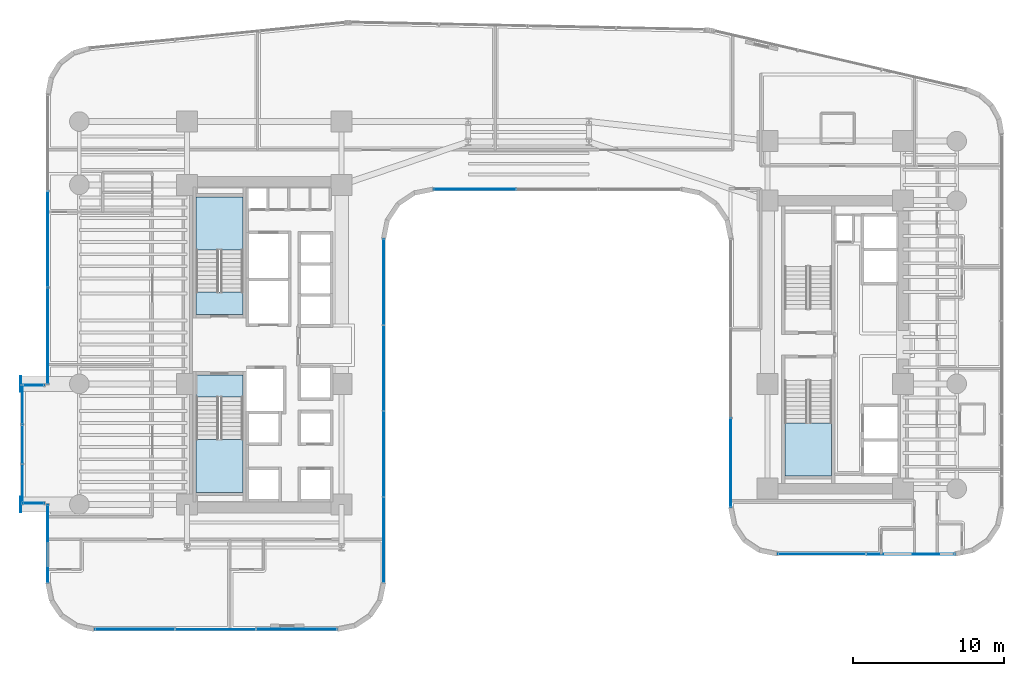
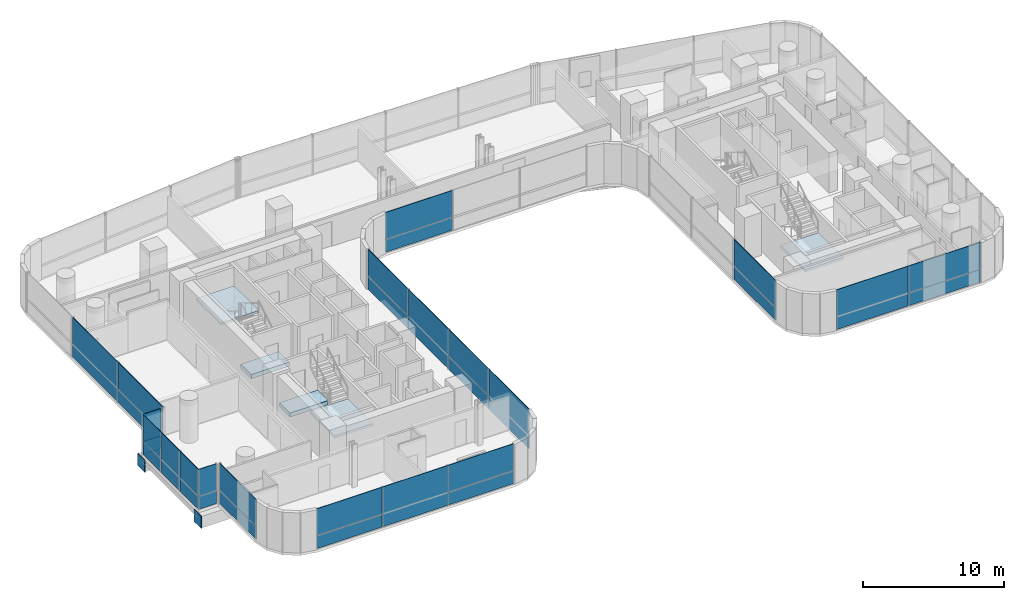
# One storey, part 28 of 41: 34 plates, 5 slabs, 13 elements without a shape of their own.
"""IFC4 building model written with IfcOpenShell, lengths in metres."""

import ifcopenshell
import ifcopenshell.guid

model = None  # the IFC model being written
_history = None  # IfcOwnerHistory: only IFC2X3 demands one
_inside = {}  # id of a spatial element -> (the spatial element, [elements in it])
_under = {}  # id of a project, library or spatial element -> (it, [spatial elements below it])
_declared = {}  # id of a project -> (the project, [libraries it declares])
_typed = {}  # id of a type object -> (the type object, [elements of that type])
_made_of = {}  # id of a material, layer set ... -> (it, [elements and type objects made of it])


def new_model(schema):
    """Start an empty IFC model of exactly this schema.

    Asked for "IFC4X3", IfcOpenShell would pick the latest addendum, in which some entities
    have other attributes; the version numbers below select the first issue.
    IFC2X3 requires an IfcOwnerHistory on every rooted entity: one is made here for all.
    """
    global model, _history
    if schema == "IFC4X3":
        model = ifcopenshell.file(schema_version=(4, 3, 0, 0))
    else:
        model = ifcopenshell.file(schema=schema)
    _inside.clear()
    _under.clear()
    _declared.clear()
    _typed.clear()
    _made_of.clear()
    _history = None
    if model.schema == "IFC2X3":
        org = make("IfcOrganization", Name="unknown")
        user = make(
            "IfcPersonAndOrganization",
            ThePerson=make("IfcPerson", FamilyName="unknown"),
            TheOrganization=org,
        )
        app = make(
            "IfcApplication",
            ApplicationDeveloper=org,
            Version="unknown",
            ApplicationFullName="unknown",
            ApplicationIdentifier="unknown",
        )
        _history = make(
            "IfcOwnerHistory",
            OwningUser=user,
            OwningApplication=app,
            ChangeAction="ADDED",
            CreationDate=0,
        )
    return model


def make(cls, **values):
    """One entity of the class cls with the attributes given. An attribute that is None is left unset."""
    return model.create_entity(
        cls, **{name: value for name, value in values.items() if value is not None}
    )


def rooted(cls, **values):
    """An entity with a GlobalId (a new one), such as an element, a storey or a relation."""
    return make(cls, GlobalId=ifcopenshell.guid.new(), OwnerHistory=_history, **values)


def si_unit(unit_type, name, prefix=None):
    """IfcSIUnit, for example si_unit("LENGTHUNIT", "METRE", prefix="MILLI")."""
    return make("IfcSIUnit", UnitType=unit_type, Prefix=prefix, Name=name)


def assignment(units):
    """IfcUnitAssignment: the units of a project."""
    return None if units is None else make("IfcUnitAssignment", Units=units)


def point(xyz):
    """IfcCartesianPoint."""
    return None if xyz is None else make("IfcCartesianPoint", Coordinates=xyz)


def direction(xyz):
    """IfcDirection."""
    return None if xyz is None else make("IfcDirection", DirectionRatios=xyz)


def frame(location, z_axis=None, x_axis=None):
    """IfcAxis2Placement3D, a coordinate frame: its origin and axes. An axis left out is left unset."""
    return make(
        "IfcAxis2Placement3D",
        Location=point(location),
        Axis=direction(z_axis),
        RefDirection=direction(x_axis),
    )


def frame_2d(location, x_axis=None):
    """IfcAxis2Placement2D, a coordinate frame in the plane: its origin and x axis."""
    return make(
        "IfcAxis2Placement2D", Location=point(location), RefDirection=direction(x_axis)
    )


def origin():
    """The frame at (0, 0, 0) with its axes left unset."""
    return frame((0.0, 0.0, 0.0))


def origin_2d():
    """The frame at (0, 0) in the plane with its x axis left unset."""
    return frame_2d((0.0, 0.0))


def place(relative_to, where):
    """IfcLocalPlacement: puts the frame where relative to a parent placement (None: the world)."""
    return make(
        "IfcLocalPlacement", PlacementRelTo=relative_to, RelativePlacement=where
    )


def context(
    kind, dimensions, precision=None, world=None, true_north=None, identifier=None
):
    """IfcGeometricRepresentationContext, for example the 3D "Model" context."""
    return make(
        "IfcGeometricRepresentationContext",
        ContextIdentifier=identifier,
        ContextType=kind,
        CoordinateSpaceDimension=dimensions,
        Precision=precision,
        WorldCoordinateSystem=world,
        TrueNorth=true_north,
    )


def subcontext(parent, identifier, kind, view, scale=None):
    """IfcGeometricRepresentationSubContext, for example "Body" below "Model"."""
    return make(
        "IfcGeometricRepresentationSubContext",
        ContextIdentifier=identifier,
        ContextType=kind,
        ParentContext=parent,
        TargetScale=scale,
        TargetView=view,
    )


def project(units=None, contexts=None):
    """IfcProject with its units and contexts."""
    return rooted(
        "IfcProject",
        Name="project",
        RepresentationContexts=contexts,
        UnitsInContext=assignment(units),
    )


def spatial(cls, under=None, at=None, **own):
    """A site, building, storey or space (cls), placed at a placement, below another one or the project."""
    s = rooted(cls, ObjectPlacement=at, **own)
    if under is not None:
        _under.setdefault(under.id(), (under, []))[1].append(s)
    return s


def polyline(points):
    """IfcPolyline through the points."""
    return make("IfcPolyline", Points=[point(p) for p in points])


def profile(cls, at=None, kind="AREA", **sizes):
    """A parametric profile (cls). Its sizes go by their IFC names, for example OverallWidth=200.0."""
    return make(cls, ProfileType=kind, Position=at, **sizes)


def rectangle(**sizes):
    """IfcRectangleProfileDef."""
    return profile("IfcRectangleProfileDef", **sizes)


def outline(outer, holes=None, kind="AREA"):
    """IfcArbitraryClosedProfileDef: a profile drawn as a closed curve; with holes, ...WithVoids."""
    if holes is None:
        return make("IfcArbitraryClosedProfileDef", ProfileType=kind, OuterCurve=outer)
    return make(
        "IfcArbitraryProfileDefWithVoids",
        ProfileType=kind,
        OuterCurve=outer,
        InnerCurves=holes,
    )


def extrude(swept, where, along, depth):
    """IfcExtrudedAreaSolid: the profile swept, set in the frame where, extruded along a direction by depth."""
    return make(
        "IfcExtrudedAreaSolid",
        SweptArea=swept,
        Position=where,
        ExtrudedDirection=direction(along),
        Depth=depth,
    )


def shape(context_of_items, identifier, shape_type, items):
    """IfcShapeRepresentation: the items that make up one representation, for example the "Body"."""
    return make(
        "IfcShapeRepresentation",
        ContextOfItems=context_of_items,
        RepresentationIdentifier=identifier,
        RepresentationType=shape_type,
        Items=items,
    )


def source(mapping_origin, context_of_items, identifier, shape_type, items):
    """IfcRepresentationMap: a shape defined once, which mapped items show again and again."""
    return make(
        "IfcRepresentationMap",
        MappingOrigin=mapping_origin,
        MappedRepresentation=shape(context_of_items, identifier, shape_type, items),
    )


def transform(
    local_origin,
    x_axis=None,
    y_axis=None,
    z_axis=None,
    scale=None,
    scale2=None,
    scale3=None,
    uniform=True,
):
    """IfcCartesianTransformationOperator3D, or its non-uniform kind. x_axis, y_axis, z_axis: its Axis1, 2, 3."""
    if uniform:
        return make(
            "IfcCartesianTransformationOperator3D",
            Axis1=direction(x_axis),
            Axis2=direction(y_axis),
            LocalOrigin=point(local_origin),
            Scale=scale,
            Axis3=direction(z_axis),
        )
    return make(
        "IfcCartesianTransformationOperator3DnonUniform",
        Axis1=direction(x_axis),
        Axis2=direction(y_axis),
        LocalOrigin=point(local_origin),
        Scale=scale,
        Axis3=direction(z_axis),
        Scale2=scale2,
        Scale3=scale3,
    )


def mapped(mapping_source, mapping_target):
    """IfcMappedItem: shows the shape of a source again, moved by a transform."""
    return make(
        "IfcMappedItem", MappingSource=mapping_source, MappingTarget=mapping_target
    )


def material(Name=None, Category=None):
    """IfcMaterial."""
    return make("IfcMaterial", Name=Name, Category=Category)


def layer(
    of_material, thickness, ventilated=None, Name=None, Category=None, Priority=None
):
    """IfcMaterialLayer: one layer of a wall or slab, of a material (None: an air gap)."""
    return make(
        "IfcMaterialLayer",
        Material=of_material,
        LayerThickness=thickness,
        IsVentilated=ventilated,
        Name=Name,
        Category=Category,
        Priority=Priority,
    )


def layer_set(layers, Name=None):
    """IfcMaterialLayerSet."""
    return make("IfcMaterialLayerSet", MaterialLayers=layers, LayerSetName=Name)


def made_of(thing, what):
    """Note that an element or type object is made of a material, layer set ...; save() writes the relation."""
    if what is not None:
        _made_of.setdefault(what.id(), (what, []))[1].append(thing)
    return thing


def type_object(cls, material=None, **own):
    """A type object (cls), such as IfcWallType, which elements share."""
    return made_of(rooted(cls, **own), material)


def element(
    cls,
    number,
    at=None,
    inside=None,
    cuts=None,
    type_object=None,
    material=None,
    context=None,
    identifier="Body",
    shape_type=None,
    held_by="IfcProductDefinitionShape",
    body=None,
    shapes=None,
    **own,
):
    """One element of the class cls, such as IfcWall. Its Tag is "e" and its number.

    at: its placement. inside: the storey or other place that contains it. cuts: it is an
    opening in that element (IfcRelVoidsElement). A single representation is given by context,
    identifier, shape_type and body (its items); several are given by shapes. held_by: the class
    of the entity that holds the representations. save() writes the other relations.
    """
    e = rooted(cls, Tag="e%d" % number, ObjectPlacement=at, **own)
    if body is not None:
        shapes = [shape(context, identifier, shape_type, body)]
    if shapes is not None:
        e.Representation = make(held_by, Representations=shapes)
    if inside is not None:
        _inside.setdefault(inside.id(), (inside, []))[1].append(e)
    if cuts is not None:
        rooted(
            "IfcRelVoidsElement", RelatingBuildingElement=cuts, RelatedOpeningElement=e
        )
    if type_object is not None:
        _typed.setdefault(type_object.id(), (type_object, []))[1].append(e)
    return made_of(e, material)


def aggregate(whole, parts):
    """IfcRelAggregates: a whole, such as a stair, and the parts it consists of."""
    return rooted("IfcRelAggregates", RelatingObject=whole, RelatedObjects=parts)


def save(model, path):
    """Write the relations noted so far, then the file.

    IfcRelAggregates (storeys below a building ...), IfcRelContainedInSpatialStructure (elements
    in a storey), IfcRelDefinesByType, IfcRelAssociatesMaterial and IfcRelDeclares: one each for
    every whole, place, type object, material and project.
    """
    for whole, parts in _under.values():
        aggregate(whole, parts)
    for where, things in _inside.values():
        rooted(
            "IfcRelContainedInSpatialStructure",
            RelatedElements=things,
            RelatingStructure=where,
        )
    for kind, things in _typed.values():
        rooted("IfcRelDefinesByType", RelatedObjects=things, RelatingType=kind)
    for what, things in _made_of.values():
        rooted("IfcRelAssociatesMaterial", RelatedObjects=things, RelatingMaterial=what)
    for by, libraries in _declared.values():
        rooted("IfcRelDeclares", RelatingContext=by, RelatedDefinitions=libraries)
    model.write(path)


model = new_model("IFC4")

# Units and contexts
model_context = context("Model", 3, precision=1e-05, world=origin(), true_north=direction((0.0, 1.0)))
body_context = subcontext(model_context, "Body", "Model", "MODEL_VIEW")
ifc_project = project(units=[si_unit("LENGTHUNIT", "METRE"), si_unit("AREAUNIT", "SQUARE_METRE"), si_unit("VOLUMEUNIT", "CUBIC_METRE"), si_unit("PLANEANGLEUNIT", "RADIAN"), si_unit("MASSUNIT", "GRAM", prefix="KILO")], contexts=[model_context])

# Site, building, storey
site_placement = place(None, origin())
site = spatial("IfcSite", under=ifc_project, at=site_placement, CompositionType="ELEMENT")
building_placement = place(site_placement, origin())
building = spatial("IfcBuilding", under=site, at=building_placement, Name="Valdorenza Pilgrim Sanctuary Tower", CompositionType="ELEMENT")
storey_placement = place(building_placement, frame((0.0, 0.0, 63.0)))
storey = spatial("IfcBuildingStorey", under=building, at=storey_placement, Name="L15", CompositionType="ELEMENT", Elevation=63.0)

# Stair, slab
ifc_material_1 = material(Name="Concrete C40/50", Category="concrete")
stair_type = type_object("IfcStairType", Name="STR-DOG-CORE", PredefinedType="HALF_TURN_STAIR", material=ifc_material_1)
stair_1_placement = place(storey_placement, origin())
stair_1 = element("IfcStair", 1, at=stair_1_placement, inside=storey, type_object=stair_type, Name="L15 ST-A1", PredefinedType="HALF_TURN_STAIR")
ifc_layer_1 = layer(ifc_material_1, 0.199951171875, Name="Concrete C40/50")
ifc_layer_set_1 = layer_set([ifc_layer_1], Name="Concrete C40/50")
slab_type_1 = type_object("IfcSlabType", Name="SLAB-STL-200", PredefinedType="LANDING", material=ifc_layer_set_1)
slab_1_placement = place(storey_placement, frame((0.0, 0.0, 1.64990234375)))
slab_1 = element("IfcSlab", 2, at=slab_1_placement, type_object=slab_type_1, Name="ST-A1 landing 1", PredefinedType="LANDING", context=body_context, shape_type="SweptSolid", body=[
    extrude(outline(polyline([(-18.93994140625, 6.280029296875), (-18.93994140625, 9.800048828125), (-22.050048828125, 9.800048828125), (-22.050048828125, 6.280029296875), (-18.93994140625, 6.280029296875)])), origin(), (0.0, 0.0, 1.0), 0.2001953125),
])
aggregate(stair_1, [slab_1])

stair_2_placement = place(storey_placement, origin())
stair_2 = element("IfcStair", 3, at=stair_2_placement, inside=storey, type_object=stair_type, Name="L15 ST-A2", PredefinedType="HALF_TURN_STAIR")
slab_2_placement = place(storey_placement, frame((0.0, 0.0, 1.64990234375)))
slab_2 = element("IfcSlab", 4, at=slab_2_placement, type_object=slab_type_1, Name="ST-A2 landing 1", PredefinedType="LANDING", context=body_context, shape_type="SweptSolid", body=[
    extrude(outline(polyline([(-22.050048828125, -6.280029296875), (-22.050048828125, -9.800048828125), (-18.93994140625, -9.800048828125), (-18.93994140625, -6.280029296875), (-22.050048828125, -6.280029296875)])), origin(), (0.0, 0.0, 1.0), 0.2001953125),
])
aggregate(stair_2, [slab_2])

stair_3_placement = place(storey_placement, origin())
stair_3 = element("IfcStair", 5, at=stair_3_placement, inside=storey, type_object=stair_type, Name="L15 ST-B2", PredefinedType="HALF_TURN_STAIR")
slab_3_placement = place(storey_placement, frame((0.0, 0.0, 1.64990234375)))
slab_3 = element("IfcSlab", 6, at=slab_3_placement, type_object=slab_type_1, Name="ST-B2 landing 1", PredefinedType="LANDING", context=body_context, shape_type="SweptSolid", body=[
    extrude(outline(polyline([(17.0, -5.179931640625), (17.0, -8.699951171875), (20.110107421875, -8.699951171875), (20.110107421875, -5.179931640625), (17.0, -5.179931640625)])), origin(), (0.0, 0.0, 1.0), 0.2001953125),
])
aggregate(stair_3, [slab_3])

# Slabs
ifc_material_2 = material(Name="Concrete C50/60", Category="concrete")
ifc_layer_2 = layer(ifc_material_2, 0.39990234375, Name="Concrete C50/60")
ifc_layer_set_2 = layer_set([ifc_layer_2], Name="Concrete C50/60")
slab_type_2 = type_object("IfcSlabType", Name="SLAB-TRF-400", PredefinedType="FLOOR", material=ifc_layer_set_2)
slab_4_placement = place(storey_placement, frame((0.0, 0.0, -0.360107421875)))
element("IfcSlab", 7, at=slab_4_placement, inside=storey, type_object=slab_type_2, Name="L15 ST-A1 Structural Stair Landing Bearing Slab", PredefinedType="FLOOR", context=body_context, shape_type="SweptSolid", body=[
    extrude(outline(polyline([(-22.050048828125, 2.0), (-18.93994140625, 2.0), (-18.93994140625, 3.485107421875), (-22.050048828125, 3.485107421875), (-22.050048828125, 2.0)])), origin(), (0.0, 0.0, 1.0), 0.360107421875),
])
slab_5_placement = place(storey_placement, frame((0.0, 0.0, -0.360107421875)))
element("IfcSlab", 8, at=slab_5_placement, inside=storey, type_object=slab_type_2, Name="L15 ST-A2 Structural Stair Landing Bearing Slab", PredefinedType="FLOOR", context=body_context, shape_type="SweptSolid", body=[
    extrude(outline(polyline([(-22.050048828125, -3.485107421875), (-18.93994140625, -3.485107421875), (-18.93994140625, -2.0), (-22.050048828125, -2.0), (-22.050048828125, -3.485107421875)])), origin(), (0.0, 0.0, 1.0), 0.360107421875),
])

# Plates
ifc_material_3 = material(Name="Steel ASTM A572 Grade 42", Category="steel")
ifc_layer_3 = layer(ifc_material_3, 0.06005859375, Name="Steel ASTM A572 Grade 42")
ifc_layer_set_3 = layer_set([ifc_layer_3], Name="Steel ASTM A572 Grade 42")
plate_type_1 = type_object("IfcPlateType", Name="PLT-CAP-60", PredefinedType="SHEET", material=ifc_layer_set_3)
shared_shape_1 = source(origin(), body_context, "Body", "SweptSolid", [
    extrude(rectangle(XDim=0.06005859375, YDim=1.0400390625, at=origin_2d()), origin(), (0.0, 0.0, 1.0), 1.0400390625),
])
for number, where, z_axis, x_axis, name in (
    (9, (-33.679931640625, -2.60009765625, -1.260009765625), (0.0, 0.0, 1.0), (1.0, 0.0, 0.0), "L15 BOX-WA-L15 Cantilever Tip End Cap N"),
    (10, (-33.679931640625, -10.60009765625, -1.260009765625), (0.0, 0.0, 1.0), (1.0, 0.0, 0.0), "L15 BOX-WA-L15 Cantilever Tip End Cap S"),
):
    element("IfcPlate", number, at=place(storey_placement, frame(where, z_axis=z_axis, x_axis=x_axis)), inside=storey, type_object=plate_type_1, Name=name, PredefinedType="SHEET", context=body_context, shape_type="MappedRepresentation", body=[
        mapped(shared_shape_1, transform((0.0, 0.0, 0.0), x_axis=(1.0, 0.0, 0.0), y_axis=(0.0, 1.0, 0.0), z_axis=(0.0, 0.0, 1.0), scale=1.0)),
    ])

# Curtain wall, plates
ifc_material_4 = material(Name="Curtain-wall IGU glazing", Category="glass")
curtain_wall_type_1 = type_object("IfcCurtainWallType", Name="CW-SYS-02", PredefinedType="NOTDEFINED", material=ifc_material_4)
curtain_wall_1_placement = place(storey_placement, origin())
curtain_wall_1 = element("IfcCurtainWall", 11, at=curtain_wall_1_placement, inside=storey, type_object=curtain_wall_type_1, Name="L15 Curtain Wall CW-L15-1-1S1", PredefinedType="NOTDEFINED")
ifc_material_5 = material(Name="Honed travertine limestone", Category="masonry")
ifc_layer_4 = layer(ifc_material_5, 0.050048828125, Name="Honed travertine limestone")
ifc_layer_set_4 = layer_set([ifc_layer_4], Name="Honed travertine limestone")
plate_type_2 = type_object("IfcPlateType", Name="CW-SPN-TRV", PredefinedType="USERDEFINED", material=ifc_layer_set_4)
shared_shape_2 = source(origin(), body_context, "Body", "SweptSolid", [
    extrude(rectangle(XDim=5.169189453125, YDim=0.06005859375, at=origin_2d()), origin(), (0.0, 0.0, 1.0), 1.10009765625),
])
plate_1_placement = place(storey_placement, frame((-31.889892578125, -13.194580078125, 0.010009765625), z_axis=(0.0, 0.0, 1.0), x_axis=(0.0, 1.0, 0.0)))
plate_1 = element("IfcPlate", 12, at=plate_1_placement, type_object=plate_type_2, Name="CW-L15-1-1S1 Travertine Spandrel 1", ObjectType="SPANDREL", PredefinedType="USERDEFINED", context=body_context, shape_type="MappedRepresentation", body=[
    mapped(shared_shape_2, transform((0.0, 0.0, 0.0), x_axis=(1.0, 0.0, 0.0), y_axis=(0.0, 1.0, 0.0), z_axis=(0.0, 0.0, 1.0), scale=1.0)),
])
ifc_material_6 = material(Name="Ceramic-fritted low-E IGU glazing", Category="glass")
ifc_layer_5 = layer(ifc_material_6, 0.035888671875, Name="Ceramic-fritted low-E IGU glazing")
ifc_layer_set_5 = layer_set([ifc_layer_5], Name="Ceramic-fritted low-E IGU glazing")
plate_type_3 = type_object("IfcPlateType", Name="CW-GLZ-IGU", PredefinedType="USERDEFINED", material=ifc_layer_set_5)
shared_shape_3 = source(origin(), body_context, "Body", "SweptSolid", [
    extrude(rectangle(XDim=5.169189453125, YDim=0.050048828125, at=origin_2d()), origin(), (0.0, 0.0, 1.0), 2.320068359375),
])
plate_2_placement = place(storey_placement, frame((-31.889892578125, -13.194580078125, 1.1298828125), z_axis=(0.0, 0.0, 1.0), x_axis=(0.0, 1.0, 0.0)))
plate_2 = element("IfcPlate", 13, at=plate_2_placement, type_object=plate_type_3, Name="CW-L15-1-1S1 Facade Panel 1", ObjectType="GLAZING", PredefinedType="USERDEFINED", context=body_context, shape_type="MappedRepresentation", body=[
    mapped(shared_shape_3, transform((0.0, 0.0, 0.0), x_axis=(1.0, 0.0, 0.0), y_axis=(0.0, 1.0, 0.0), z_axis=(0.0, 0.0, 1.0), scale=1.0)),
])
aggregate(curtain_wall_1, [plate_1, plate_2])

curtain_wall_2_placement = place(storey_placement, origin())
curtain_wall_2 = element("IfcCurtainWall", 14, at=curtain_wall_2_placement, inside=storey, type_object=curtain_wall_type_1, Name="L15 Curtain Wall CW-L15-1-1S2", PredefinedType="NOTDEFINED")
shared_shape_4 = source(origin(), body_context, "Body", "SweptSolid", [
    extrude(rectangle(XDim=6.3779296875, YDim=0.06005859375, at=origin_2d()), origin(), (0.0, 0.0, 1.0), 1.10009765625),
])
plate_3_placement = place(storey_placement, frame((-31.889892578125, 0.59912109375, 0.010009765625), z_axis=(0.0, 0.0, 1.0), x_axis=(0.0, 1.0, 0.0)))
plate_3 = element("IfcPlate", 15, at=plate_3_placement, type_object=plate_type_2, Name="CW-L15-1-1S2 Travertine Spandrel 1", ObjectType="SPANDREL", PredefinedType="USERDEFINED", context=body_context, shape_type="MappedRepresentation", body=[
    mapped(shared_shape_4, transform((0.0, 0.0, 0.0), x_axis=(1.0, 0.0, 0.0), y_axis=(0.0, 1.0, 0.0), z_axis=(0.0, 0.0, 1.0), scale=1.0)),
])
shared_shape_5 = source(origin(), body_context, "Body", "SweptSolid", [
    extrude(rectangle(XDim=6.3779296875, YDim=0.050048828125, at=origin_2d()), origin(), (0.0, 0.0, 1.0), 2.320068359375),
])
plate_4_placement = place(storey_placement, frame((-31.889892578125, 0.59912109375, 1.1298828125), z_axis=(0.0, 0.0, 1.0), x_axis=(0.0, 1.0, 0.0)))
plate_4 = element("IfcPlate", 16, at=plate_4_placement, type_object=plate_type_3, Name="CW-L15-1-1S2 Facade Panel 1", ObjectType="GLAZING", PredefinedType="USERDEFINED", context=body_context, shape_type="MappedRepresentation", body=[
    mapped(shared_shape_5, transform((0.0, 0.0, 0.0), x_axis=(1.0, 0.0, 0.0), y_axis=(0.0, 1.0, 0.0), z_axis=(0.0, 0.0, 1.0), scale=1.0)),
])
shared_shape_6 = source(origin(), body_context, "Body", "SweptSolid", [
    extrude(rectangle(XDim=6.3779296875, YDim=0.050048828125, at=origin_2d()), origin(), (0.0, 0.0, 1.0), 3.43994140625),
])
plate_5_placement = place(storey_placement, frame((-31.889892578125, 6.9970703125, 0.010009765625), z_axis=(0.0, 0.0, 1.0), x_axis=(0.0, 1.0, 0.0)))
plate_5 = element("IfcPlate", 17, at=plate_5_placement, type_object=plate_type_3, Name="CW-L15-1-1S2 Full-Height Facade Panel 2", ObjectType="GLAZING", PredefinedType="USERDEFINED", context=body_context, shape_type="MappedRepresentation", body=[
    mapped(shared_shape_6, transform((0.0, 0.0, 0.0), x_axis=(1.0, 0.0, 0.0), y_axis=(0.0, 1.0, 0.0), z_axis=(0.0, 0.0, 1.0), scale=1.0)),
])
aggregate(curtain_wall_2, [plate_3, plate_4, plate_5])

curtain_wall_type_2 = type_object("IfcCurtainWallType", Name="CW-SYS-03", PredefinedType="NOTDEFINED", material=ifc_material_4)
curtain_wall_3_placement = place(storey_placement, origin())
curtain_wall_3 = element("IfcCurtainWall", 18, at=curtain_wall_3_placement, inside=storey, type_object=curtain_wall_type_2, Name="L15 Curtain Wall CW-L15-1-26", PredefinedType="NOTDEFINED")
shared_shape_7 = source(origin(), body_context, "Body", "SweptSolid", [
    extrude(rectangle(XDim=5.869140625, YDim=0.06005859375, at=origin_2d()), origin(), (0.0, 0.0, 1.0), 1.10009765625),
])
plate_6_placement = place(storey_placement, frame((25.344482421875, -13.889892578125, 0.010009765625), z_axis=(0.0, 0.0, 1.0), x_axis=(-1.0, 0.0, 0.0)))
plate_6 = element("IfcPlate", 19, at=plate_6_placement, type_object=plate_type_2, Name="CW-L15-1-26 Travertine Spandrel 1", ObjectType="SPANDREL", PredefinedType="USERDEFINED", context=body_context, shape_type="MappedRepresentation", body=[
    mapped(shared_shape_7, transform((0.0, 0.0, 0.0), x_axis=(1.0, 0.0, 0.0), y_axis=(0.0, 1.0, 0.0), z_axis=(0.0, 0.0, 1.0), scale=1.0)),
])
shared_shape_8 = source(origin(), body_context, "Body", "SweptSolid", [
    extrude(rectangle(XDim=5.869140625, YDim=0.050048828125, at=origin_2d()), origin(), (0.0, 0.0, 1.0), 2.320068359375),
])
plate_7_placement = place(storey_placement, frame((25.344482421875, -13.889892578125, 1.1298828125), z_axis=(0.0, 0.0, 1.0), x_axis=(-1.0, 0.0, 0.0)))
plate_7 = element("IfcPlate", 20, at=plate_7_placement, type_object=plate_type_3, Name="CW-L15-1-26 Facade Panel 1", ObjectType="GLAZING", PredefinedType="USERDEFINED", context=body_context, shape_type="MappedRepresentation", body=[
    mapped(shared_shape_8, transform((0.0, 0.0, 0.0), x_axis=(1.0, 0.0, 0.0), y_axis=(0.0, 1.0, 0.0), z_axis=(0.0, 0.0, 1.0), scale=1.0)),
])
shared_shape_9 = source(origin(), body_context, "Body", "SweptSolid", [
    extrude(rectangle(XDim=5.869140625, YDim=0.050048828125, at=origin_2d()), origin(), (0.0, 0.0, 1.0), 3.43994140625),
])
plate_8_placement = place(storey_placement, frame((19.455322265625, -13.889892578125, 0.010009765625), z_axis=(0.0, 0.0, 1.0), x_axis=(-1.0, 0.0, 0.0)))
plate_8 = element("IfcPlate", 21, at=plate_8_placement, type_object=plate_type_3, Name="CW-L15-1-26 Full-Height Facade Panel 2", ObjectType="GLAZING", PredefinedType="USERDEFINED", context=body_context, shape_type="MappedRepresentation", body=[
    mapped(shared_shape_9, transform((0.0, 0.0, 0.0), x_axis=(1.0, 0.0, 0.0), y_axis=(0.0, 1.0, 0.0), z_axis=(0.0, 0.0, 1.0), scale=1.0)),
])
aggregate(curtain_wall_3, [plate_6, plate_7, plate_8])

curtain_wall_4_placement = place(storey_placement, origin())
curtain_wall_4 = element("IfcCurtainWall", 22, at=curtain_wall_4_placement, inside=storey, type_object=curtain_wall_type_2, Name="L15 Curtain Wall CW-L15-1-31", PredefinedType="NOTDEFINED")
shared_shape_10 = source(origin(), body_context, "Body", "SweptSolid", [
    extrude(rectangle(XDim=5.913330078125, YDim=0.06005859375, at=origin_2d()), origin(), (0.0, 0.0, 1.0), 1.10009765625),
])
plate_9_placement = place(storey_placement, frame((13.409912109375, -7.822509765625, 0.010009765625), z_axis=(0.0, 0.0, 1.0), x_axis=(0.0, 1.0, 0.0)))
plate_9 = element("IfcPlate", 23, at=plate_9_placement, type_object=plate_type_2, Name="CW-L15-1-31 Travertine Spandrel 1", ObjectType="SPANDREL", PredefinedType="USERDEFINED", context=body_context, shape_type="MappedRepresentation", body=[
    mapped(shared_shape_10, transform((0.0, 0.0, 0.0), x_axis=(1.0, 0.0, 0.0), y_axis=(0.0, 1.0, 0.0), z_axis=(0.0, 0.0, 1.0), scale=1.0)),
])
shared_shape_11 = source(origin(), body_context, "Body", "SweptSolid", [
    extrude(rectangle(XDim=5.913330078125, YDim=0.050048828125, at=origin_2d()), origin(), (0.0, 0.0, 1.0), 2.320068359375),
])
plate_10_placement = place(storey_placement, frame((13.409912109375, -7.822509765625, 1.1298828125), z_axis=(0.0, 0.0, 1.0), x_axis=(0.0, 1.0, 0.0)))
plate_10 = element("IfcPlate", 24, at=plate_10_placement, type_object=plate_type_3, Name="CW-L15-1-31 Facade Panel 1", ObjectType="GLAZING", PredefinedType="USERDEFINED", context=body_context, shape_type="MappedRepresentation", body=[
    mapped(shared_shape_11, transform((0.0, 0.0, 0.0), x_axis=(1.0, 0.0, 0.0), y_axis=(0.0, 1.0, 0.0), z_axis=(0.0, 0.0, 1.0), scale=1.0)),
])
aggregate(curtain_wall_4, [plate_9, plate_10])

curtain_wall_5_placement = place(storey_placement, origin())
curtain_wall_5 = element("IfcCurtainWall", 25, at=curtain_wall_5_placement, inside=storey, type_object=curtain_wall_type_1, Name="L15 Curtain Wall CW-L15-1-36", PredefinedType="NOTDEFINED")
shared_shape_12 = source(origin(), body_context, "Body", "SweptSolid", [
    extrude(rectangle(XDim=5.453857421875, YDim=0.06005859375, at=origin_2d()), origin(), (0.0, 0.0, 1.0), 1.10009765625),
])
plate_11_placement = place(storey_placement, frame((-3.573974609375, 10.31005859375, 0.010009765625), z_axis=(0.0, 0.0, 1.0), x_axis=(-1.0, 0.0, 0.0)))
plate_11 = element("IfcPlate", 26, at=plate_11_placement, type_object=plate_type_2, Name="CW-L15-1-36 Travertine Spandrel 3", ObjectType="SPANDREL", PredefinedType="USERDEFINED", context=body_context, shape_type="MappedRepresentation", body=[
    mapped(shared_shape_12, transform((0.0, 0.0, 0.0), x_axis=(1.0, 0.0, 0.0), y_axis=(0.0, 1.0, 0.0), z_axis=(0.0, 0.0, 1.0), scale=1.0)),
])
shared_shape_13 = source(origin(), body_context, "Body", "SweptSolid", [
    extrude(rectangle(XDim=5.453857421875, YDim=0.050048828125, at=origin_2d()), origin(), (0.0, 0.0, 1.0), 2.320068359375),
])
plate_12_placement = place(storey_placement, frame((-3.573974609375, 10.31005859375, 1.1298828125), z_axis=(0.0, 0.0, 1.0), x_axis=(-1.0, 0.0, 0.0)))
plate_12 = element("IfcPlate", 27, at=plate_12_placement, type_object=plate_type_3, Name="CW-L15-1-36 Facade Panel 3", ObjectType="GLAZING", PredefinedType="USERDEFINED", context=body_context, shape_type="MappedRepresentation", body=[
    mapped(shared_shape_13, transform((0.0, 0.0, 0.0), x_axis=(1.0, 0.0, 0.0), y_axis=(0.0, 1.0, 0.0), z_axis=(0.0, 0.0, 1.0), scale=1.0)),
])
aggregate(curtain_wall_5, [plate_11, plate_12])

curtain_wall_6_placement = place(storey_placement, origin())
curtain_wall_6 = element("IfcCurtainWall", 28, at=curtain_wall_6_placement, inside=storey, type_object=curtain_wall_type_1, Name="L15 Curtain Wall CW-L15-1-41", PredefinedType="NOTDEFINED")
shared_shape_14 = source(origin(), body_context, "Body", "SweptSolid", [
    extrude(rectangle(XDim=5.679931640625, YDim=0.06005859375, at=origin_2d()), origin(), (0.0, 0.0, 1.0), 1.10009765625),
])
plate_13_placement = place(storey_placement, frame((-9.610107421875, 4.160888671875, 0.010009765625), z_axis=(0.0, 0.0, 1.0), x_axis=(0.0, -1.0, 0.0)))
plate_13 = element("IfcPlate", 29, at=plate_13_placement, type_object=plate_type_2, Name="CW-L15-1-41 Travertine Spandrel 1", ObjectType="SPANDREL", PredefinedType="USERDEFINED", context=body_context, shape_type="MappedRepresentation", body=[
    mapped(shared_shape_14, transform((0.0, 0.0, 0.0), x_axis=(1.0, 0.0, 0.0), y_axis=(0.0, 1.0, 0.0), z_axis=(0.0, 0.0, 1.0), scale=1.0)),
])
plate_14_placement = place(storey_placement, frame((-9.610107421875, -7.2392578125, 0.010009765625), z_axis=(0.0, 0.0, 1.0), x_axis=(0.0, -1.0, 0.0)))
plate_14 = element("IfcPlate", 30, at=plate_14_placement, type_object=plate_type_2, Name="CW-L15-1-41 Travertine Spandrel 3", ObjectType="SPANDREL", PredefinedType="USERDEFINED", context=body_context, shape_type="MappedRepresentation", body=[
    mapped(shared_shape_14, transform((0.0, 0.0, 0.0), x_axis=(1.0, 0.0, 0.0), y_axis=(0.0, 1.0, 0.0), z_axis=(0.0, 0.0, 1.0), scale=1.0)),
])
shared_shape_15 = source(origin(), body_context, "Body", "SweptSolid", [
    extrude(rectangle(XDim=5.679931640625, YDim=0.050048828125, at=origin_2d()), origin(), (0.0, 0.0, 1.0), 2.320068359375),
])
plate_15_placement = place(storey_placement, frame((-9.610107421875, 4.160888671875, 1.1298828125), z_axis=(0.0, 0.0, 1.0), x_axis=(0.0, -1.0, 0.0)))
plate_15 = element("IfcPlate", 31, at=plate_15_placement, type_object=plate_type_3, Name="CW-L15-1-41 Facade Panel 1", ObjectType="GLAZING", PredefinedType="USERDEFINED", context=body_context, shape_type="MappedRepresentation", body=[
    mapped(shared_shape_15, transform((0.0, 0.0, 0.0), x_axis=(1.0, 0.0, 0.0), y_axis=(0.0, 1.0, 0.0), z_axis=(0.0, 0.0, 1.0), scale=1.0)),
])
plate_16_placement = place(storey_placement, frame((-9.610107421875, -7.2392578125, 1.1298828125), z_axis=(0.0, 0.0, 1.0), x_axis=(0.0, -1.0, 0.0)))
plate_16 = element("IfcPlate", 32, at=plate_16_placement, type_object=plate_type_3, Name="CW-L15-1-41 Facade Panel 3", ObjectType="GLAZING", PredefinedType="USERDEFINED", context=body_context, shape_type="MappedRepresentation", body=[
    mapped(shared_shape_15, transform((0.0, 0.0, 0.0), x_axis=(1.0, 0.0, 0.0), y_axis=(0.0, 1.0, 0.0), z_axis=(0.0, 0.0, 1.0), scale=1.0)),
])
shared_shape_16 = source(origin(), body_context, "Body", "SweptSolid", [
    extrude(rectangle(XDim=5.679931640625, YDim=0.050048828125, at=origin_2d()), origin(), (0.0, 0.0, 1.0), 3.43994140625),
])
plate_17_placement = place(storey_placement, frame((-9.610107421875, -1.539306640625, 0.010009765625), z_axis=(0.0, 0.0, 1.0), x_axis=(0.0, -1.0, 0.0)))
plate_17 = element("IfcPlate", 33, at=plate_17_placement, type_object=plate_type_3, Name="CW-L15-1-41 Full-Height Facade Panel 2", ObjectType="GLAZING", PredefinedType="USERDEFINED", context=body_context, shape_type="MappedRepresentation", body=[
    mapped(shared_shape_16, transform((0.0, 0.0, 0.0), x_axis=(1.0, 0.0, 0.0), y_axis=(0.0, 1.0, 0.0), z_axis=(0.0, 0.0, 1.0), scale=1.0)),
])
plate_18_placement = place(storey_placement, frame((-9.610107421875, -12.939208984375, 0.010009765625), z_axis=(0.0, 0.0, 1.0), x_axis=(0.0, -1.0, 0.0)))
plate_18 = element("IfcPlate", 34, at=plate_18_placement, type_object=plate_type_3, Name="CW-L15-1-41 Full-Height Facade Panel 4", ObjectType="GLAZING", PredefinedType="USERDEFINED", context=body_context, shape_type="MappedRepresentation", body=[
    mapped(shared_shape_16, transform((0.0, 0.0, 0.0), x_axis=(1.0, 0.0, 0.0), y_axis=(0.0, 1.0, 0.0), z_axis=(0.0, 0.0, 1.0), scale=1.0)),
])
aggregate(curtain_wall_6, [plate_13, plate_15, plate_17, plate_14, plate_16, plate_18])

curtain_wall_7_placement = place(storey_placement, origin())
curtain_wall_7 = element("IfcCurtainWall", 35, at=curtain_wall_7_placement, inside=storey, type_object=curtain_wall_type_1, Name="L15 Curtain Wall CW-L15-1-46", PredefinedType="NOTDEFINED")
shared_shape_17 = source(origin(), body_context, "Body", "SweptSolid", [
    extrude(rectangle(XDim=5.339599609375, YDim=0.06005859375, at=origin_2d()), origin(), (0.0, 0.0, 1.0), 1.10009765625),
])
plate_19_placement = place(storey_placement, frame((-15.390380859375, -18.889892578125, 0.010009765625), z_axis=(0.0, 0.0, 1.0), x_axis=(-1.0, 0.0, 0.0)))
plate_19 = element("IfcPlate", 36, at=plate_19_placement, type_object=plate_type_2, Name="CW-L15-1-46 Travertine Spandrel 1", ObjectType="SPANDREL", PredefinedType="USERDEFINED", context=body_context, shape_type="MappedRepresentation", body=[
    mapped(shared_shape_17, transform((0.0, 0.0, 0.0), x_axis=(1.0, 0.0, 0.0), y_axis=(0.0, 1.0, 0.0), z_axis=(0.0, 0.0, 1.0), scale=1.0)),
])
plate_20_placement = place(storey_placement, frame((-26.109619140625, -18.889892578125, 0.010009765625), z_axis=(0.0, 0.0, 1.0), x_axis=(-1.0, 0.0, 0.0)))
plate_20 = element("IfcPlate", 37, at=plate_20_placement, type_object=plate_type_2, Name="CW-L15-1-46 Travertine Spandrel 3", ObjectType="SPANDREL", PredefinedType="USERDEFINED", context=body_context, shape_type="MappedRepresentation", body=[
    mapped(shared_shape_17, transform((0.0, 0.0, 0.0), x_axis=(1.0, 0.0, 0.0), y_axis=(0.0, 1.0, 0.0), z_axis=(0.0, 0.0, 1.0), scale=1.0)),
])
shared_shape_18 = source(origin(), body_context, "Body", "SweptSolid", [
    extrude(rectangle(XDim=5.339599609375, YDim=0.050048828125, at=origin_2d()), origin(), (0.0, 0.0, 1.0), 2.320068359375),
])
plate_21_placement = place(storey_placement, frame((-15.390380859375, -18.889892578125, 1.1298828125), z_axis=(0.0, 0.0, 1.0), x_axis=(-1.0, 0.0, 0.0)))
plate_21 = element("IfcPlate", 38, at=plate_21_placement, type_object=plate_type_3, Name="CW-L15-1-46 Facade Panel 1", ObjectType="GLAZING", PredefinedType="USERDEFINED", context=body_context, shape_type="MappedRepresentation", body=[
    mapped(shared_shape_18, transform((0.0, 0.0, 0.0), x_axis=(1.0, 0.0, 0.0), y_axis=(0.0, 1.0, 0.0), z_axis=(0.0, 0.0, 1.0), scale=1.0)),
])
plate_22_placement = place(storey_placement, frame((-26.109619140625, -18.889892578125, 1.1298828125), z_axis=(0.0, 0.0, 1.0), x_axis=(-1.0, 0.0, 0.0)))
plate_22 = element("IfcPlate", 39, at=plate_22_placement, type_object=plate_type_3, Name="CW-L15-1-46 Facade Panel 3", ObjectType="GLAZING", PredefinedType="USERDEFINED", context=body_context, shape_type="MappedRepresentation", body=[
    mapped(shared_shape_18, transform((0.0, 0.0, 0.0), x_axis=(1.0, 0.0, 0.0), y_axis=(0.0, 1.0, 0.0), z_axis=(0.0, 0.0, 1.0), scale=1.0)),
])
shared_shape_19 = source(origin(), body_context, "Body", "SweptSolid", [
    extrude(rectangle(XDim=5.339599609375, YDim=0.050048828125, at=origin_2d()), origin(), (0.0, 0.0, 1.0), 3.43994140625),
])
plate_23_placement = place(storey_placement, frame((-20.75, -18.889892578125, 0.010009765625), z_axis=(0.0, 0.0, 1.0), x_axis=(-1.0, 0.0, 0.0)))
plate_23 = element("IfcPlate", 40, at=plate_23_placement, type_object=plate_type_3, Name="CW-L15-1-46 Full-Height Facade Panel 2", ObjectType="GLAZING", PredefinedType="USERDEFINED", context=body_context, shape_type="MappedRepresentation", body=[
    mapped(shared_shape_19, transform((0.0, 0.0, 0.0), x_axis=(1.0, 0.0, 0.0), y_axis=(0.0, 1.0, 0.0), z_axis=(0.0, 0.0, 1.0), scale=1.0)),
])
aggregate(curtain_wall_7, [plate_19, plate_21, plate_23, plate_20, plate_22])

# Curtain wall, plate
curtain_wall_8_placement = place(storey_placement, origin())
curtain_wall_8 = element("IfcCurtainWall", 41, at=curtain_wall_8_placement, inside=storey, type_object=curtain_wall_type_1, Name="L15 Curtain Wall CW-L15-BOX-WA-L15-S", PredefinedType="NOTDEFINED")
shared_shape_20 = source(origin(), body_context, "Body", "SweptSolid", [
    extrude(rectangle(XDim=1.43994140625, YDim=0.06005859375, at=origin_2d()), origin(), (0.0, 0.0, 1.0), 1.10009765625),
])
plate_24_placement = place(storey_placement, frame((-32.840087890625, -10.52001953125, 0.010009765625), z_axis=(0.0, 0.0, 1.0), x_axis=(-1.0, 0.0, 0.0)))
plate_24 = element("IfcPlate", 42, at=plate_24_placement, type_object=plate_type_2, Name="CW-L15-BOX-WA-L15-S Travertine Spandrel 1", ObjectType="SPANDREL", PredefinedType="USERDEFINED", context=body_context, shape_type="MappedRepresentation", body=[
    mapped(shared_shape_20, transform((0.0, 0.0, 0.0), x_axis=(1.0, 0.0, 0.0), y_axis=(0.0, 1.0, 0.0), z_axis=(0.0, 0.0, 1.0), scale=1.0)),
])

curtain_wall_9_placement = place(storey_placement, origin())
curtain_wall_9 = element("IfcCurtainWall", 43, at=curtain_wall_9_placement, inside=storey, type_object=curtain_wall_type_1, Name="L15 Curtain Wall CW-L15-BOX-WA-L15-N", PredefinedType="NOTDEFINED")
plate_25_placement = place(storey_placement, frame((-32.840087890625, -2.679931640625, 0.010009765625), z_axis=(0.0, 0.0, 1.0), x_axis=(1.0, 0.0, 0.0)))
plate_25 = element("IfcPlate", 44, at=plate_25_placement, type_object=plate_type_2, Name="CW-L15-BOX-WA-L15-N Travertine Spandrel 1", ObjectType="SPANDREL", PredefinedType="USERDEFINED", context=body_context, shape_type="MappedRepresentation", body=[
    mapped(shared_shape_20, transform((0.0, 0.0, 0.0), x_axis=(1.0, 0.0, 0.0), y_axis=(0.0, 1.0, 0.0), z_axis=(0.0, 0.0, 1.0), scale=1.0)),
])

# Plate
shared_shape_21 = source(origin(), body_context, "Body", "SweptSolid", [
    extrude(rectangle(XDim=1.43994140625, YDim=0.050048828125, at=origin_2d()), origin(), (0.0, 0.0, 1.0), 2.320068359375),
])
plate_26_placement = place(storey_placement, frame((-32.840087890625, -10.52001953125, 1.1298828125), z_axis=(0.0, 0.0, 1.0), x_axis=(-1.0, 0.0, 0.0)))
plate_26 = element("IfcPlate", 45, at=plate_26_placement, type_object=plate_type_3, Name="CW-L15-BOX-WA-L15-S Facade Panel 1", ObjectType="GLAZING", PredefinedType="USERDEFINED", context=body_context, shape_type="MappedRepresentation", body=[
    mapped(shared_shape_21, transform((0.0, 0.0, 0.0), x_axis=(1.0, 0.0, 0.0), y_axis=(0.0, 1.0, 0.0), z_axis=(0.0, 0.0, 1.0), scale=1.0)),
])

aggregate(curtain_wall_8, [plate_24, plate_26])

plate_27_placement = place(storey_placement, frame((-32.840087890625, -2.679931640625, 1.1298828125), z_axis=(0.0, 0.0, 1.0), x_axis=(1.0, 0.0, 0.0)))
plate_27 = element("IfcPlate", 46, at=plate_27_placement, type_object=plate_type_3, Name="CW-L15-BOX-WA-L15-N Facade Panel 1", ObjectType="GLAZING", PredefinedType="USERDEFINED", context=body_context, shape_type="MappedRepresentation", body=[
    mapped(shared_shape_21, transform((0.0, 0.0, 0.0), x_axis=(1.0, 0.0, 0.0), y_axis=(0.0, 1.0, 0.0), z_axis=(0.0, 0.0, 1.0), scale=1.0)),
])

aggregate(curtain_wall_9, [plate_25, plate_27])

# Curtain wall, plates
curtain_wall_10_placement = place(storey_placement, origin())
curtain_wall_10 = element("IfcCurtainWall", 47, at=curtain_wall_10_placement, inside=storey, type_object=curtain_wall_type_1, Name="L15 Curtain Wall CW-L15-BOX-WA-L15-F", PredefinedType="NOTDEFINED")
shared_shape_22 = source(origin(), body_context, "Body", "SweptSolid", [
    extrude(rectangle(XDim=2.59326171875, YDim=0.06005859375, at=origin_2d()), origin(), (0.0, 0.0, 1.0), 1.10009765625),
])
plate_28_placement = place(storey_placement, frame((-33.570068359375, -9.21337890625, 0.010009765625), z_axis=(0.0, 0.0, 1.0), x_axis=(0.0, 1.0, 0.0)))
plate_28 = element("IfcPlate", 48, at=plate_28_placement, type_object=plate_type_2, Name="CW-L15-BOX-WA-L15-F Travertine Spandrel 1", ObjectType="SPANDREL", PredefinedType="USERDEFINED", context=body_context, shape_type="MappedRepresentation", body=[
    mapped(shared_shape_22, transform((0.0, 0.0, 0.0), x_axis=(1.0, 0.0, 0.0), y_axis=(0.0, 1.0, 0.0), z_axis=(0.0, 0.0, 1.0), scale=1.0)),
])
plate_29_placement = place(storey_placement, frame((-33.570068359375, -3.98681640625, 0.010009765625), z_axis=(0.0, 0.0, 1.0), x_axis=(0.0, 1.0, 0.0)))
plate_29 = element("IfcPlate", 49, at=plate_29_placement, type_object=plate_type_2, Name="CW-L15-BOX-WA-L15-F Travertine Spandrel 3", ObjectType="SPANDREL", PredefinedType="USERDEFINED", context=body_context, shape_type="MappedRepresentation", body=[
    mapped(shared_shape_22, transform((0.0, 0.0, 0.0), x_axis=(1.0, 0.0, 0.0), y_axis=(0.0, 1.0, 0.0), z_axis=(0.0, 0.0, 1.0), scale=1.0)),
])
shared_shape_23 = source(origin(), body_context, "Body", "SweptSolid", [
    extrude(rectangle(XDim=2.59326171875, YDim=0.050048828125, at=origin_2d()), origin(), (0.0, 0.0, 1.0), 2.320068359375),
])
plate_30_placement = place(storey_placement, frame((-33.570068359375, -9.21337890625, 1.1298828125), z_axis=(0.0, 0.0, 1.0), x_axis=(0.0, 1.0, 0.0)))
plate_30 = element("IfcPlate", 50, at=plate_30_placement, type_object=plate_type_3, Name="CW-L15-BOX-WA-L15-F Facade Panel 1", ObjectType="GLAZING", PredefinedType="USERDEFINED", context=body_context, shape_type="MappedRepresentation", body=[
    mapped(shared_shape_23, transform((0.0, 0.0, 0.0), x_axis=(1.0, 0.0, 0.0), y_axis=(0.0, 1.0, 0.0), z_axis=(0.0, 0.0, 1.0), scale=1.0)),
])
plate_31_placement = place(storey_placement, frame((-33.570068359375, -3.98681640625, 1.1298828125), z_axis=(0.0, 0.0, 1.0), x_axis=(0.0, 1.0, 0.0)))
plate_31 = element("IfcPlate", 51, at=plate_31_placement, type_object=plate_type_3, Name="CW-L15-BOX-WA-L15-F Facade Panel 3", ObjectType="GLAZING", PredefinedType="USERDEFINED", context=body_context, shape_type="MappedRepresentation", body=[
    mapped(shared_shape_23, transform((0.0, 0.0, 0.0), x_axis=(1.0, 0.0, 0.0), y_axis=(0.0, 1.0, 0.0), z_axis=(0.0, 0.0, 1.0), scale=1.0)),
])
shared_shape_24 = source(origin(), body_context, "Body", "SweptSolid", [
    extrude(rectangle(XDim=2.59326171875, YDim=0.050048828125, at=origin_2d()), origin(), (0.0, 0.0, 1.0), 3.43994140625),
])
plate_32_placement = place(storey_placement, frame((-33.570068359375, -6.60009765625, 0.010009765625), z_axis=(0.0, 0.0, 1.0), x_axis=(0.0, 1.0, 0.0)))
plate_32 = element("IfcPlate", 52, at=plate_32_placement, type_object=plate_type_3, Name="CW-L15-BOX-WA-L15-F Full-Height Facade Panel 2", ObjectType="GLAZING", PredefinedType="USERDEFINED", context=body_context, shape_type="MappedRepresentation", body=[
    mapped(shared_shape_24, transform((0.0, 0.0, 0.0), x_axis=(1.0, 0.0, 0.0), y_axis=(0.0, 1.0, 0.0), z_axis=(0.0, 0.0, 1.0), scale=1.0)),
])
aggregate(curtain_wall_10, [plate_28, plate_30, plate_32, plate_29, plate_31])

save(model, "model.ifc")
